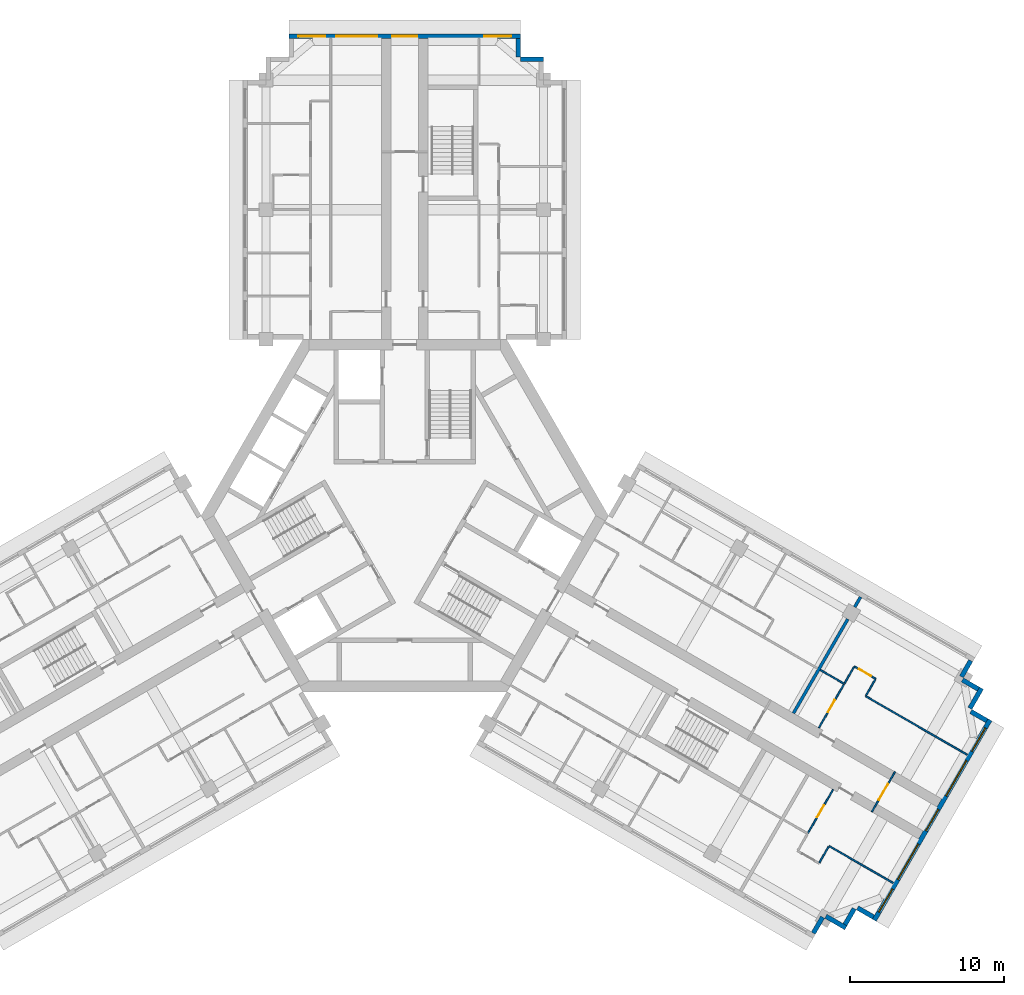
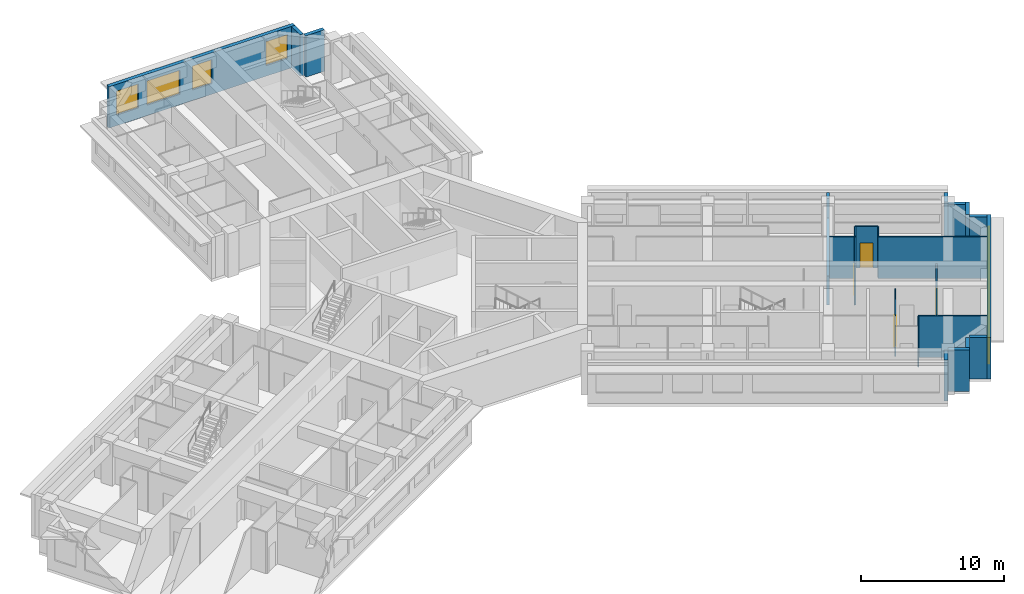
# One storey, part 9 of 11: 24 walls, 9 windows, 4 doors, 13 openings.
"""IFC4 building model written with IfcOpenShell, lengths in metres."""

from ifc_helpers import new_model, si_unit, direction, frame, frame_2d, origin, place, context, subcontext, project, spatial, rectangle, extrude, material, layer, layer_set, type_object, element, fill, save


model = new_model("IFC4")

# Units and contexts
model_context = context("Model", 3, precision=1e-05, world=origin(), true_north=direction((0.0, 1.0)))
body_context = subcontext(model_context, "Body", "Model", "MODEL_VIEW")
ifc_project = project(units=[si_unit("LENGTHUNIT", "METRE"), si_unit("AREAUNIT", "SQUARE_METRE"), si_unit("VOLUMEUNIT", "CUBIC_METRE"), si_unit("PLANEANGLEUNIT", "RADIAN"), si_unit("MASSUNIT", "GRAM", prefix="KILO")], contexts=[model_context])

# Site, building, storey
site_placement = place(None, origin())
site = spatial("IfcSite", under=ifc_project, at=site_placement, CompositionType="ELEMENT")
building_placement = place(site_placement, origin())
building = spatial("IfcBuilding", under=site, at=building_placement, Name="Impinga Residences", CompositionType="ELEMENT")
storey_placement = place(building_placement, frame((0.0, 0.0, 203.5)))
storey = spatial("IfcBuildingStorey", under=building, at=storey_placement, Name="L50", CompositionType="ELEMENT", Elevation=203.5)

# Wall, opening, door
ifc_material_1 = material(Name="Concrete blockwork", Category="masonry")
ifc_layer_1 = layer(ifc_material_1, 0.10009765625)
ifc_layer_set_1 = layer_set([ifc_layer_1], Name="CP1 core room partition, blockwork 100")
wall_type_1 = type_object("IfcWallType", Name="CP1 core room partition, blockwork 100", PredefinedType="PARTITIONING", material=ifc_layer_set_1)
wall_1_placement = place(storey_placement, frame((31.781005859375, -16.61669921875, 0.0), z_axis=(0.0, 0.0, 1.0), x_axis=(-0.499990139034, -0.866031096941, 0.0)))
wall_1 = element("IfcWall", 1, at=wall_1_placement, inside=storey, type_object=wall_type_1, Name="Core room partition, blockwork L50:E:LNG", PredefinedType="PARTITIONING", context=body_context, shape_type="SweptSolid", body=[
    extrude(rectangle(XDim=3.0, YDim=0.10009765625, at=frame_2d((1.5, 0.0))), origin(), (0.0, 0.0, 1.0), 3.530029296875),
])
opening_1_placement = place(wall_1_placement, frame((0.89990234375, 0.0, 0.0)))
opening_1 = element("IfcOpeningElement", 2, at=opening_1_placement, cuts=wall_1, Name="Opening D3", PredefinedType="OPENING", context=body_context, shape_type="SweptSolid", body=[
    extrude(rectangle(XDim=1.199951171875, YDim=2.10009765625, at=frame_2d((0.60009765625, 1.050048828125))), frame((0.0, 0.06005859375, 0.0), z_axis=(0.0, -1.0, 0.0), x_axis=(1.0, 0.0, 0.0)), (0.0, 0.0, 1.0), 0.1201171875),
])
ifc_material_2 = material(Name="Timber door set", Category="wood")
door_type_1 = type_object("IfcDoorType", Name="D3 room door, leaf and a half 1200x2100", OperationType="DOUBLE_SWING_LEFT", PredefinedType="DOOR", material=ifc_material_2)
door_1_placement = place(opening_1_placement, origin())
door_1 = element("IfcDoor", 3, at=door_1_placement, inside=storey, type_object=door_type_1, Name="Residents' lounge door E", OperationType="DOUBLE_SWING_LEFT", OverallHeight=2.10009765625, OverallWidth=1.199951171875, PredefinedType="DOOR", context=body_context, shape_type="SweptSolid", body=[
    extrude(rectangle(XDim=1.199951171875, YDim=2.10009765625, at=frame_2d((0.60009765625, 1.050048828125))), frame((0.0, 0.02490234375, 0.0), z_axis=(0.0, -1.0, 0.0), x_axis=(1.0, 0.0, 0.0)), (0.0, 0.0, 1.0), 0.050048828125),
])
fill(opening_1, door_1)

# Wall, openings, windows
ifc_material_3 = material(Name="Terracotta rainscreen on blockwork", Category="masonry")
ifc_layer_2 = layer(ifc_material_3, 0.300048828125)
ifc_layer_set_2 = layer_set([ifc_layer_2], Name="EW1 external wall, terracotta rainscreen on blockwork 300")
wall_type_2 = type_object("IfcWallType", Name="EW1 external wall, terracotta rainscreen on blockwork 300", PredefinedType="SOLIDWALL", material=ifc_layer_set_2)
wall_2_placement = place(storey_placement, frame((-7.5, 31.08154296875, 0.0), z_axis=(0.0, 0.0, 1.0), x_axis=(1.0, 0.0, 0.0)))
wall_2 = element("IfcWall", 4, at=wall_2_placement, inside=storey, type_object=wall_type_2, Name="External wall EW1 L50", PredefinedType="SOLIDWALL", context=body_context, shape_type="SweptSolid", body=[
    extrude(rectangle(XDim=15.0, YDim=0.300048828125, at=frame_2d((7.5, 0.0))), origin(), (0.0, 0.0, 1.0), 3.530029296875),
])
opening_2_placement = place(wall_2_placement, frame((0.60009765625, 0.0, 0.89990234375)))
opening_2 = element("IfcOpeningElement", 5, at=opening_2_placement, cuts=wall_2, Name="Opening W1", PredefinedType="OPENING", context=body_context, shape_type="SweptSolid", body=[
    extrude(rectangle(XDim=1.75, YDim=2.050048828125, at=frame_2d((0.875, 1.02490234375))), frame((0.0, 0.159912109375, 0.0), z_axis=(0.0, -1.0, 0.0), x_axis=(1.0, 0.0, 0.0)), (0.0, 0.0, 1.0), 0.320068359375),
])
opening_3_placement = place(wall_2_placement, frame((3.050048828125, 0.0, 0.89990234375)))
opening_3 = element("IfcOpeningElement", 6, at=opening_3_placement, cuts=wall_2, Name="Opening W18", PredefinedType="OPENING", context=body_context, shape_type="SweptSolid", body=[
    extrude(rectangle(XDim=2.64990234375, YDim=2.050048828125, at=frame_2d((1.324951171875, 1.02490234375))), frame((0.0, 0.159912109375, 0.0), z_axis=(0.0, -1.0, 0.0), x_axis=(1.0, 0.0, 0.0)), (0.0, 0.0, 1.0), 0.320068359375),
])
opening_4_placement = place(wall_2_placement, frame((6.699951171875, 0.0, 0.89990234375)))
opening_4 = element("IfcOpeningElement", 7, at=opening_4_placement, cuts=wall_2, Name="Opening W19", PredefinedType="OPENING", context=body_context, shape_type="SweptSolid", body=[
    extrude(rectangle(XDim=1.60009765625, YDim=2.050048828125, at=frame_2d((0.800048828125, 1.02490234375))), frame((0.0, 0.159912109375, 0.0), z_axis=(0.0, -1.0, 0.0), x_axis=(1.0, 0.0, 0.0)), (0.0, 0.0, 1.0), 0.320068359375),
])
opening_5_placement = place(wall_2_placement, frame((12.64990234375, 0.0, 0.89990234375)))
opening_5 = element("IfcOpeningElement", 8, at=opening_5_placement, cuts=wall_2, Name="Opening W1", PredefinedType="OPENING", context=body_context, shape_type="SweptSolid", body=[
    extrude(rectangle(XDim=1.75, YDim=2.050048828125, at=frame_2d((0.875, 1.02490234375))), frame((0.0, 0.159912109375, 0.0), z_axis=(0.0, -1.0, 0.0), x_axis=(1.0, 0.0, 0.0)), (0.0, 0.0, 1.0), 0.320068359375),
])
ifc_material_4 = material(Name="Aluminium window, clear double glazing", Category="aluminium")
window_type_1 = type_object("IfcWindowType", Name="W1 ribbon window 1750x2050", PartitioningType="SINGLE_PANEL", PredefinedType="WINDOW", material=ifc_material_4)
window_1_placement = place(opening_2_placement, origin())
window_1 = element("IfcWindow", 9, at=window_1_placement, inside=storey, type_object=window_type_1, Name="Window L50", OverallHeight=2.050048828125, OverallWidth=1.75, PartitioningType="SINGLE_PANEL", PredefinedType="WINDOW", context=body_context, shape_type="SweptSolid", body=[
    extrude(rectangle(XDim=1.75, YDim=2.050048828125, at=frame_2d((0.875, 1.02490234375))), frame((0.0, 0.030029296875, 0.0), z_axis=(0.0, -1.0, 0.0), x_axis=(1.0, 0.0, 0.0)), (0.0, 0.0, 1.0), 0.06005859375),
])
fill(opening_2, window_1)
window_2_placement = place(opening_5_placement, origin())
window_2 = element("IfcWindow", 10, at=window_2_placement, inside=storey, type_object=window_type_1, Name="Window L50", OverallHeight=2.050048828125, OverallWidth=1.75, PartitioningType="SINGLE_PANEL", PredefinedType="WINDOW", context=body_context, shape_type="SweptSolid", body=[
    extrude(rectangle(XDim=1.75, YDim=2.050048828125, at=frame_2d((0.875, 1.02490234375))), frame((0.0, 0.030029296875, 0.0), z_axis=(0.0, -1.0, 0.0), x_axis=(1.0, 0.0, 0.0)), (0.0, 0.0, 1.0), 0.06005859375),
])
fill(opening_5, window_2)
window_type_2 = type_object("IfcWindowType", Name="W18 ribbon window 2650x2050", PartitioningType="SINGLE_PANEL", PredefinedType="WINDOW", material=ifc_material_4)
window_3_placement = place(opening_3_placement, origin())
window_3 = element("IfcWindow", 11, at=window_3_placement, inside=storey, type_object=window_type_2, Name="Window L50", OverallHeight=2.050048828125, OverallWidth=2.64990234375, PartitioningType="SINGLE_PANEL", PredefinedType="WINDOW", context=body_context, shape_type="SweptSolid", body=[
    extrude(rectangle(XDim=2.64990234375, YDim=2.050048828125, at=frame_2d((1.324951171875, 1.02490234375))), frame((0.0, 0.030029296875, 0.0), z_axis=(0.0, -1.0, 0.0), x_axis=(1.0, 0.0, 0.0)), (0.0, 0.0, 1.0), 0.06005859375),
])
fill(opening_3, window_3)
window_type_3 = type_object("IfcWindowType", Name="W19 ribbon window 1600x2050", PartitioningType="SINGLE_PANEL", PredefinedType="WINDOW", material=ifc_material_4)
window_4_placement = place(opening_4_placement, origin())
window_4 = element("IfcWindow", 12, at=window_4_placement, inside=storey, type_object=window_type_3, Name="Window L50", OverallHeight=2.050048828125, OverallWidth=1.60009765625, PartitioningType="SINGLE_PANEL", PredefinedType="WINDOW", context=body_context, shape_type="SweptSolid", body=[
    extrude(rectangle(XDim=1.60009765625, YDim=2.050048828125, at=frame_2d((0.800048828125, 1.02490234375))), frame((0.0, 0.030029296875, 0.0), z_axis=(0.0, -1.0, 0.0), x_axis=(1.0, 0.0, 0.0)), (0.0, 0.0, 1.0), 0.06005859375),
])
fill(opening_4, window_4)

# Walls
wall_3_placement = place(storey_placement, frame((7.35009765625, 30.931640625, 0.0), z_axis=(0.0, 0.0, 1.0), x_axis=(0.0, -1.0, 0.0)))
element("IfcWall", 13, at=wall_3_placement, inside=storey, type_object=wall_type_2, Name="External wall EW1 L50", PredefinedType="SOLIDWALL", context=body_context, shape_type="SweptSolid", body=[
    extrude(rectangle(XDim=1.195068359375, YDim=0.300048828125, at=frame_2d((0.59765625, 0.0))), origin(), (0.0, 0.0, 1.0), 3.530029296875),
])
wall_4_placement = place(storey_placement, frame((7.5, 29.58154296875, 0.0), z_axis=(0.0, 0.0, 1.0), x_axis=(1.0, 0.0, 0.0)))
element("IfcWall", 14, at=wall_4_placement, inside=storey, type_object=wall_type_2, Name="External wall EW1 L50", PredefinedType="SOLIDWALL", context=body_context, shape_type="SweptSolid", body=[
    extrude(rectangle(XDim=1.5, YDim=0.300048828125, at=frame_2d((0.75, 0.0))), origin(), (0.0, 0.0, 1.0), 3.530029296875),
])
wall_5_placement = place(storey_placement, frame((36.69384765625, -9.4072265625, 0.0), z_axis=(0.0, 0.0, 1.0), x_axis=(-0.499880961361, -0.866094119867, 0.0)))
element("IfcWall", 15, at=wall_5_placement, inside=storey, type_object=wall_type_2, Name="External wall EW1 L50", PredefinedType="SOLIDWALL", context=body_context, shape_type="SweptSolid", body=[
    extrude(rectangle(XDim=1.199951171875, YDim=0.300048828125, at=frame_2d((0.60009765625, 0.0))), origin(), (0.0, 0.0, 1.0), 3.530029296875),
])
wall_6_placement = place(storey_placement, frame((36.153076171875, -10.654052734375, 0.0), z_axis=(0.0, 0.0, 1.0), x_axis=(0.866059708757, -0.499940577336, 0.0)))
element("IfcWall", 16, at=wall_6_placement, inside=storey, type_object=wall_type_2, Name="External wall EW1 L50", PredefinedType="SOLIDWALL", context=body_context, shape_type="SweptSolid", body=[
    extrude(rectangle(XDim=1.195068359375, YDim=0.300048828125, at=frame_2d((0.59765625, 0.0))), origin(), (0.0, 0.0, 1.0), 3.530029296875),
])
wall_7_placement = place(storey_placement, frame((37.39306640625, -11.196533203125, 0.0), z_axis=(0.0, 0.0, 1.0), x_axis=(-0.499990139034, -0.866031096941, 0.0)))
element("IfcWall", 17, at=wall_7_placement, inside=storey, type_object=wall_type_2, Name="External wall EW1 L50", PredefinedType="SOLIDWALL", context=body_context, shape_type="SweptSolid", body=[
    extrude(rectangle(XDim=1.5, YDim=0.300048828125, at=frame_2d((0.75, 0.0))), origin(), (0.0, 0.0, 1.0), 3.530029296875),
])
wall_8_placement = place(storey_placement, frame((36.7021484375, -12.702880859375, 0.0), z_axis=(0.0, 0.0, 1.0), x_axis=(0.865971243484, -0.500093796661, 0.0)))
element("IfcWall", 18, at=wall_8_placement, inside=storey, type_object=wall_type_2, Name="External wall EW1 L50", PredefinedType="SOLIDWALL", context=body_context, shape_type="SweptSolid", body=[
    extrude(rectangle(XDim=1.195068359375, YDim=0.300048828125, at=frame_2d((0.59765625, 0.0))), origin(), (0.0, 0.0, 1.0), 3.530029296875),
])

# Wall, openings, windows
wall_9_placement = place(storey_placement, frame((37.94189453125, -13.24560546875, 0.0), z_axis=(0.0, 0.0, 1.0), x_axis=(-0.500004234368, -0.866022959057, 0.0)))
wall_9 = element("IfcWall", 19, at=wall_9_placement, inside=storey, type_object=wall_type_2, Name="External wall EW1 L50", PredefinedType="SOLIDWALL", context=body_context, shape_type="SweptSolid", body=[
    extrude(rectangle(XDim=14.999755859375, YDim=0.300048828125, at=frame_2d((7.5, 0.0))), origin(), (0.0, 0.0, 1.0), 3.530029296875),
])
opening_6_placement = place(wall_9_placement, frame((0.60009765625, 0.0, 0.89990234375)))
opening_6 = element("IfcOpeningElement", 20, at=opening_6_placement, cuts=wall_9, Name="Opening W1", PredefinedType="OPENING", context=body_context, shape_type="SweptSolid", body=[
    extrude(rectangle(XDim=1.75, YDim=2.050048828125, at=frame_2d((0.875, 1.02490234375))), frame((0.0, 0.159912109375, 0.0), z_axis=(0.0, -1.0, 0.0), x_axis=(1.0, 0.0, 0.0)), (0.0, 0.0, 1.0), 0.320068359375),
])
opening_7_placement = place(wall_9_placement, frame((3.050048828125, 0.0, 0.89990234375)))
opening_7 = element("IfcOpeningElement", 21, at=opening_7_placement, cuts=wall_9, Name="Opening W18", PredefinedType="OPENING", context=body_context, shape_type="SweptSolid", body=[
    extrude(rectangle(XDim=2.64990234375, YDim=2.050048828125, at=frame_2d((1.324951171875, 1.02490234375))), frame((0.0, 0.159912109375, 0.0), z_axis=(0.0, -1.0, 0.0), x_axis=(1.0, 0.0, 0.0)), (0.0, 0.0, 1.0), 0.320068359375),
])
opening_8_placement = place(wall_9_placement, frame((6.699951171875, 0.0, 0.89990234375)))
opening_8 = element("IfcOpeningElement", 22, at=opening_8_placement, cuts=wall_9, Name="Opening W19", PredefinedType="OPENING", context=body_context, shape_type="SweptSolid", body=[
    extrude(rectangle(XDim=1.60009765625, YDim=2.050048828125, at=frame_2d((0.800048828125, 1.02490234375))), frame((0.0, 0.159912109375, 0.0), z_axis=(0.0, -1.0, 0.0), x_axis=(1.0, 0.0, 0.0)), (0.0, 0.0, 1.0), 0.320068359375),
])
opening_9_placement = place(wall_9_placement, frame((9.300048828125, 0.0, 0.89990234375)))
opening_9 = element("IfcOpeningElement", 23, at=opening_9_placement, cuts=wall_9, Name="Opening W18", PredefinedType="OPENING", context=body_context, shape_type="SweptSolid", body=[
    extrude(rectangle(XDim=2.64990234375, YDim=2.050048828125, at=frame_2d((1.324951171875, 1.02490234375))), frame((0.0, 0.159912109375, 0.0), z_axis=(0.0, -1.0, 0.0), x_axis=(1.0, 0.0, 0.0)), (0.0, 0.0, 1.0), 0.320068359375),
])
opening_10_placement = place(wall_9_placement, frame((12.64990234375, 0.0, 0.89990234375)))
opening_10 = element("IfcOpeningElement", 24, at=opening_10_placement, cuts=wall_9, Name="Opening W1", PredefinedType="OPENING", context=body_context, shape_type="SweptSolid", body=[
    extrude(rectangle(XDim=1.75, YDim=2.050048828125, at=frame_2d((0.875, 1.02490234375))), frame((0.0, 0.159912109375, 0.0), z_axis=(0.0, -1.0, 0.0), x_axis=(1.0, 0.0, 0.0)), (0.0, 0.0, 1.0), 0.320068359375),
])
window_5_placement = place(opening_6_placement, origin())
window_5 = element("IfcWindow", 25, at=window_5_placement, inside=storey, type_object=window_type_1, Name="Window L50", OverallHeight=2.050048828125, OverallWidth=1.75, PartitioningType="SINGLE_PANEL", PredefinedType="WINDOW", context=body_context, shape_type="SweptSolid", body=[
    extrude(rectangle(XDim=1.75, YDim=2.050048828125, at=frame_2d((0.875, 1.02490234375))), frame((0.0, 0.030029296875, 0.0), z_axis=(0.0, -1.0, 0.0), x_axis=(1.0, 0.0, 0.0)), (0.0, 0.0, 1.0), 0.06005859375),
])
fill(opening_6, window_5)
window_6_placement = place(opening_10_placement, origin())
window_6 = element("IfcWindow", 26, at=window_6_placement, inside=storey, type_object=window_type_1, Name="Window L50", OverallHeight=2.050048828125, OverallWidth=1.75, PartitioningType="SINGLE_PANEL", PredefinedType="WINDOW", context=body_context, shape_type="SweptSolid", body=[
    extrude(rectangle(XDim=1.75, YDim=2.050048828125, at=frame_2d((0.875, 1.02490234375))), frame((0.0, 0.030029296875, 0.0), z_axis=(0.0, -1.0, 0.0), x_axis=(1.0, 0.0, 0.0)), (0.0, 0.0, 1.0), 0.06005859375),
])
fill(opening_10, window_6)
window_7_placement = place(opening_7_placement, origin())
window_7 = element("IfcWindow", 27, at=window_7_placement, inside=storey, type_object=window_type_2, Name="Window L50", OverallHeight=2.050048828125, OverallWidth=2.64990234375, PartitioningType="SINGLE_PANEL", PredefinedType="WINDOW", context=body_context, shape_type="SweptSolid", body=[
    extrude(rectangle(XDim=2.64990234375, YDim=2.050048828125, at=frame_2d((1.324951171875, 1.02490234375))), frame((0.0, 0.030029296875, 0.0), z_axis=(0.0, -1.0, 0.0), x_axis=(1.0, 0.0, 0.0)), (0.0, 0.0, 1.0), 0.06005859375),
])
fill(opening_7, window_7)
window_8_placement = place(opening_9_placement, origin())
window_8 = element("IfcWindow", 28, at=window_8_placement, inside=storey, type_object=window_type_2, Name="Window L50", OverallHeight=2.050048828125, OverallWidth=2.64990234375, PartitioningType="SINGLE_PANEL", PredefinedType="WINDOW", context=body_context, shape_type="SweptSolid", body=[
    extrude(rectangle(XDim=2.64990234375, YDim=2.050048828125, at=frame_2d((1.324951171875, 1.02490234375))), frame((0.0, 0.030029296875, 0.0), z_axis=(0.0, -1.0, 0.0), x_axis=(1.0, 0.0, 0.0)), (0.0, 0.0, 1.0), 0.06005859375),
])
fill(opening_9, window_8)
window_9_placement = place(opening_8_placement, origin())
window_9 = element("IfcWindow", 29, at=window_9_placement, inside=storey, type_object=window_type_3, Name="Window L50", OverallHeight=2.050048828125, OverallWidth=1.60009765625, PartitioningType="SINGLE_PANEL", PredefinedType="WINDOW", context=body_context, shape_type="SweptSolid", body=[
    extrude(rectangle(XDim=1.60009765625, YDim=2.050048828125, at=frame_2d((0.800048828125, 1.02490234375))), frame((0.0, 0.030029296875, 0.0), z_axis=(0.0, -1.0, 0.0), x_axis=(1.0, 0.0, 0.0)), (0.0, 0.0, 1.0), 0.06005859375),
])
fill(opening_8, window_9)

# Walls
wall_10_placement = place(storey_placement, frame((30.38720703125, -26.031005859375, 0.0), z_axis=(0.0, 0.0, 1.0), x_axis=(-0.866059708757, 0.499940577336, 0.0)))
element("IfcWall", 30, at=wall_10_placement, inside=storey, type_object=wall_type_2, Name="External wall EW1 L50", PredefinedType="SOLIDWALL", context=body_context, shape_type="SweptSolid", body=[
    extrude(rectangle(XDim=1.195068359375, YDim=0.300048828125, at=frame_2d((0.59765625, 0.0))), origin(), (0.0, 0.0, 1.0), 3.530029296875),
])
wall_11_placement = place(storey_placement, frame((29.14306640625, -25.48583984375, 0.0), z_axis=(0.0, 0.0, 1.0), x_axis=(-0.500033551112, -0.866006032174, 0.0)))
element("IfcWall", 31, at=wall_11_placement, inside=storey, type_object=wall_type_2, Name="External wall EW1 L50", PredefinedType="SOLIDWALL", context=body_context, shape_type="SweptSolid", body=[
    extrude(rectangle(XDim=1.2001953125, YDim=0.300048828125, at=frame_2d((0.60009765625, 0.0))), origin(), (0.0, 0.0, 1.0), 3.530029296875),
])
wall_12_placement = place(storey_placement, frame((28.597900390625, -26.72998046875, 0.0), z_axis=(0.0, 0.0, 1.0), x_axis=(-0.866031096941, 0.499990139034, 0.0)))
element("IfcWall", 32, at=wall_12_placement, inside=storey, type_object=wall_type_2, Name="External wall EW1 L50", PredefinedType="SOLIDWALL", context=body_context, shape_type="SweptSolid", body=[
    extrude(rectangle(XDim=1.5, YDim=0.300048828125, at=frame_2d((0.75, 0.0))), origin(), (0.0, 0.0, 1.0), 3.530029296875),
])
wall_13_placement = place(storey_placement, frame((27.091552734375, -26.039306640625, 0.0), z_axis=(0.0, 0.0, 1.0), x_axis=(-0.500093796661, -0.865971243484, 0.0)))
element("IfcWall", 33, at=wall_13_placement, inside=storey, type_object=wall_type_2, Name="External wall EW1 L50", PredefinedType="SOLIDWALL", context=body_context, shape_type="SweptSolid", body=[
    extrude(rectangle(XDim=1.195068359375, YDim=0.300048828125, at=frame_2d((0.59765625, 0.0))), origin(), (0.0, 0.0, 1.0), 3.530029296875),
])
ifc_material_5 = material(Name="Gypsum board on steel studs", Category="steel")
ifc_layer_3 = layer(ifc_material_5, 0.10009765625)
ifc_layer_set_3 = layer_set([ifc_layer_3], Name="Gypsum board on steel studs")
wall_type_3 = type_object("IfcWallType", Name="IP1 partition 100", PredefinedType="PARTITIONING", material=ifc_layer_set_3)
wall_14_placement = place(storey_placement, frame((26.935791015625, -10.0087890625, 0.0), z_axis=(0.0, 0.0, 1.0), x_axis=(0.865989075817, -0.500062916607, 0.0)))
element("IfcWall", 34, at=wall_14_placement, inside=storey, type_object=wall_type_3, Name="Partition L50-EA2:DIV0", PredefinedType="PARTITIONING", context=body_context, shape_type="SweptSolid", body=[
    extrude(rectangle(XDim=1.800048828125, YDim=0.10009765625, at=frame_2d((0.89990234375, 0.0))), origin(), (0.0, 0.0, 1.0), 3.530029296875),
])
wall_15_placement = place(storey_placement, frame((29.88037109375, -11.708740234375, 0.0), z_axis=(0.0, 0.0, 1.0), x_axis=(0.866022425744, -0.500005158081, 0.0)))
element("IfcWall", 35, at=wall_15_placement, inside=storey, type_object=wall_type_3, Name="Partition L50-EA2:DIV1", PredefinedType="PARTITIONING", context=body_context, shape_type="SweptSolid", body=[
    extrude(rectangle(XDim=7.60009765625, YDim=0.10009765625, at=frame_2d((3.800048828125, 0.0))), origin(), (0.0, 0.0, 1.0), 3.530029296875),
])

# Wall, opening, door
wall_16_placement = place(storey_placement, frame((29.144775390625, -9.782958984375, 0.0), z_axis=(0.0, 0.0, 1.0), x_axis=(0.865989903783, -0.500061482766, 0.0)))
wall_16 = element("IfcWall", 36, at=wall_16_placement, inside=storey, type_object=wall_type_3, Name="Partition L50-EA2:STRIP", PredefinedType="PARTITIONING", context=body_context, shape_type="SweptSolid", body=[
    extrude(rectangle(XDim=1.599853515625, YDim=0.10009765625, at=frame_2d((0.7998046875, 0.0))), origin(), (0.0, 0.0, 1.0), 3.530029296875),
])
opening_11_placement = place(wall_16_placement, frame((0.35009765625, 0.0, 0.0)))
opening_11 = element("IfcOpeningElement", 37, at=opening_11_placement, cuts=wall_16, Name="Opening D2", PredefinedType="OPENING", context=body_context, shape_type="SweptSolid", body=[
    extrude(rectangle(XDim=0.89990234375, YDim=2.10009765625, at=frame_2d((0.449951171875, 1.050048828125))), frame((0.0, 0.06005859375, 0.0), z_axis=(0.0, -1.0, 0.0), x_axis=(1.0, 0.0, 0.0)), (0.0, 0.0, 1.0), 0.1201171875),
])
door_type_2 = type_object("IfcDoorType", Name="D2 internal door 900x2100", OperationType="SINGLE_SWING_LEFT", PredefinedType="DOOR", material=ifc_material_2)
door_2_placement = place(opening_11_placement, origin())
door_2 = element("IfcDoor", 38, at=door_2_placement, inside=storey, type_object=door_type_2, Name="Apartment L50-EA2 room door", OperationType="SINGLE_SWING_LEFT", OverallHeight=2.10009765625, OverallWidth=0.89990234375, PredefinedType="DOOR", context=body_context, shape_type="SweptSolid", body=[
    extrude(rectangle(XDim=0.89990234375, YDim=2.10009765625, at=frame_2d((0.449951171875, 1.050048828125))), frame((0.0, 0.02490234375, 0.0), z_axis=(0.0, -1.0, 0.0), x_axis=(1.0, 0.0, 0.0)), (0.0, 0.0, 1.0), 0.050048828125),
])
fill(opening_11, door_2)

# Walls
wall_17_placement = place(storey_placement, frame((28.519775390625, -10.865478515625, 0.0), z_axis=(0.0, 0.0, 1.0), x_axis=(0.499969057507, 0.866043267704, 0.0)))
element("IfcWall", 39, at=wall_17_placement, inside=storey, type_object=wall_type_3, Name="Partition L50-EA2:SE0", PredefinedType="PARTITIONING", context=body_context, shape_type="SweptSolid", body=[
    extrude(rectangle(XDim=1.19970703125, YDim=0.10009765625, at=frame_2d((0.599853515625, 0.0))), origin(), (0.0, 0.0, 1.0), 3.530029296875),
])
wall_18_placement = place(storey_placement, frame((29.9052734375, -11.66552734375, 0.0), z_axis=(0.0, 0.0, 1.0), x_axis=(0.500033551112, 0.866006032174, 0.0)))
element("IfcWall", 40, at=wall_18_placement, inside=storey, type_object=wall_type_3, Name="Partition L50-EA2:SE1", PredefinedType="PARTITIONING", context=body_context, shape_type="SweptSolid", body=[
    extrude(rectangle(XDim=1.2001953125, YDim=0.10009765625, at=frame_2d((0.60009765625, 0.0))), origin(), (0.0, 0.0, 1.0), 3.530029296875),
])

# Wall, opening, door
wall_19_placement = place(storey_placement, frame((26.8447265625, -13.766845703125, 0.0), z_axis=(0.0, 0.0, 1.0), x_axis=(0.499984717929, 0.866034226713, 0.0)))
wall_19 = element("IfcWall", 41, at=wall_19_placement, inside=storey, type_object=wall_type_3, Name="Partition L50-EA2:IB1", PredefinedType="PARTITIONING", context=body_context, shape_type="SweptSolid", body=[
    extrude(rectangle(XDim=3.25, YDim=0.10009765625, at=frame_2d((1.625, 0.0))), origin(), (0.0, 0.0, 1.0), 3.530029296875),
])
opening_12_placement = place(wall_19_placement, frame((1.175048828125, 0.0, 0.0)))
opening_12 = element("IfcOpeningElement", 42, at=opening_12_placement, cuts=wall_19, Name="Opening D2", PredefinedType="OPENING", context=body_context, shape_type="SweptSolid", body=[
    extrude(rectangle(XDim=0.89990234375, YDim=2.10009765625, at=frame_2d((0.449951171875, 1.050048828125))), frame((0.0, 0.06005859375, 0.0), z_axis=(0.0, -1.0, 0.0), x_axis=(1.0, 0.0, 0.0)), (0.0, 0.0, 1.0), 0.1201171875),
])
door_3_placement = place(opening_12_placement, origin())
door_3 = element("IfcDoor", 43, at=door_3_placement, inside=storey, type_object=door_type_2, Name="Apartment L50-EA2 bathroom door", OperationType="SINGLE_SWING_LEFT", OverallHeight=2.10009765625, OverallWidth=0.89990234375, PredefinedType="DOOR", context=body_context, shape_type="SweptSolid", body=[
    extrude(rectangle(XDim=0.89990234375, YDim=2.10009765625, at=frame_2d((0.449951171875, 1.050048828125))), frame((0.0, 0.02490234375, 0.0), z_axis=(0.0, -1.0, 0.0), x_axis=(1.0, 0.0, 0.0)), (0.0, 0.0, 1.0), 0.050048828125),
])
fill(opening_12, door_3)

# Walls
wall_20_placement = place(storey_placement, frame((27.505126953125, -21.422607421875, 0.0), z_axis=(0.0, 0.0, 1.0), x_axis=(0.866015339567, -0.500017431331, 0.0)))
element("IfcWall", 44, at=wall_20_placement, inside=storey, type_object=wall_type_3, Name="Partition L50-EF2:DIV1", PredefinedType="PARTITIONING", context=body_context, shape_type="SweptSolid", body=[
    extrude(rectangle(XDim=4.800048828125, YDim=0.10009765625, at=frame_2d((2.39990234375, 0.0))), origin(), (0.0, 0.0, 1.0), 3.530029296875),
])
wall_21_placement = place(storey_placement, frame((27.480224609375, -21.466064453125, 0.0), z_axis=(0.0, 0.0, 1.0), x_axis=(-0.50012165622, -0.865955154139, 0.0)))
element("IfcWall", 45, at=wall_21_placement, inside=storey, type_object=wall_type_3, Name="Partition L50-EF2:SE1", PredefinedType="PARTITIONING", context=body_context, shape_type="SweptSolid", body=[
    extrude(rectangle(XDim=1.199951171875, YDim=0.10009765625, at=frame_2d((0.60009765625, 0.0))), origin(), (0.0, 0.0, 1.0), 3.530029296875),
])

# Wall, opening, door
wall_22_placement = place(storey_placement, frame((27.76953125, -17.764892578125, 0.0), z_axis=(0.0, 0.0, 1.0), x_axis=(-0.500017246033, -0.866015446554, 0.0)))
wall_22 = element("IfcWall", 46, at=wall_22_placement, inside=storey, type_object=wall_type_3, Name="Partition L50-EF2:IB1", PredefinedType="PARTITIONING", context=body_context, shape_type="SweptSolid", body=[
    extrude(rectangle(XDim=3.25, YDim=0.10009765625, at=frame_2d((1.625, 0.0))), origin(), (0.0, 0.0, 1.0), 3.530029296875),
])
opening_13_placement = place(wall_22_placement, frame((1.175048828125, 0.0, 0.0)))
opening_13 = element("IfcOpeningElement", 47, at=opening_13_placement, cuts=wall_22, Name="Opening D2", PredefinedType="OPENING", context=body_context, shape_type="SweptSolid", body=[
    extrude(rectangle(XDim=0.89990234375, YDim=2.10009765625, at=frame_2d((0.449951171875, 1.050048828125))), frame((0.0, 0.06005859375, 0.0), z_axis=(0.0, -1.0, 0.0), x_axis=(1.0, 0.0, 0.0)), (0.0, 0.0, 1.0), 0.1201171875),
])
door_4_placement = place(opening_13_placement, origin())
door_4 = element("IfcDoor", 48, at=door_4_placement, inside=storey, type_object=door_type_2, Name="Apartment L50-EF2 bathroom door", OperationType="SINGLE_SWING_LEFT", OverallHeight=2.10009765625, OverallWidth=0.89990234375, PredefinedType="DOOR", context=body_context, shape_type="SweptSolid", body=[
    extrude(rectangle(XDim=0.89990234375, YDim=2.10009765625, at=frame_2d((0.449951171875, 1.050048828125))), frame((0.0, 0.02490234375, 0.0), z_axis=(0.0, -1.0, 0.0), x_axis=(1.0, 0.0, 0.0)), (0.0, 0.0, 1.0), 0.050048828125),
])
fill(opening_13, door_4)

# Walls
ifc_layer_4 = layer(ifc_material_1, 0.199951171875)
ifc_layer_set_4 = layer_set([ifc_layer_4], Name="PW1 party wall between apartments 200")
wall_type_4 = type_object("IfcWallType", Name="PW1 party wall between apartments 200", PredefinedType="SOLIDWALL", material=ifc_layer_set_4)
wall_23_placement = place(storey_placement, frame((25.19921875, -12.816650390625, 0.0), z_axis=(0.0, 0.0, 1.0), x_axis=(0.499990246421, 0.866031034943, 0.0)))
element("IfcWall", 49, at=wall_23_placement, inside=storey, type_object=wall_type_4, Name="Party wall between apartments L50-EA1:PARTY", PredefinedType="SOLIDWALL", context=body_context, shape_type="SweptSolid", body=[
    extrude(rectangle(XDim=7.050048828125, YDim=0.199951171875, at=frame_2d((3.52490234375, 0.0))), origin(), (0.0, 0.0, 1.0), 2.47998046875),
])
wall_24_placement = place(storey_placement, frame((29.17431640625, -5.931884765625, 0.0), z_axis=(0.0, 0.0, 1.0), x_axis=(0.499919672301, 0.866071776036, 0.0)))
element("IfcWall", 50, at=wall_24_placement, inside=storey, type_object=wall_type_4, Name="Party wall between apartments L50-EA1:PARTYb", PredefinedType="SOLIDWALL", context=body_context, shape_type="SweptSolid", body=[
    extrude(rectangle(XDim=0.75, YDim=0.199951171875, at=frame_2d((0.375, 0.0))), origin(), (0.0, 0.0, 1.0), 3.530029296875),
])

save(model, "model.ifc")
